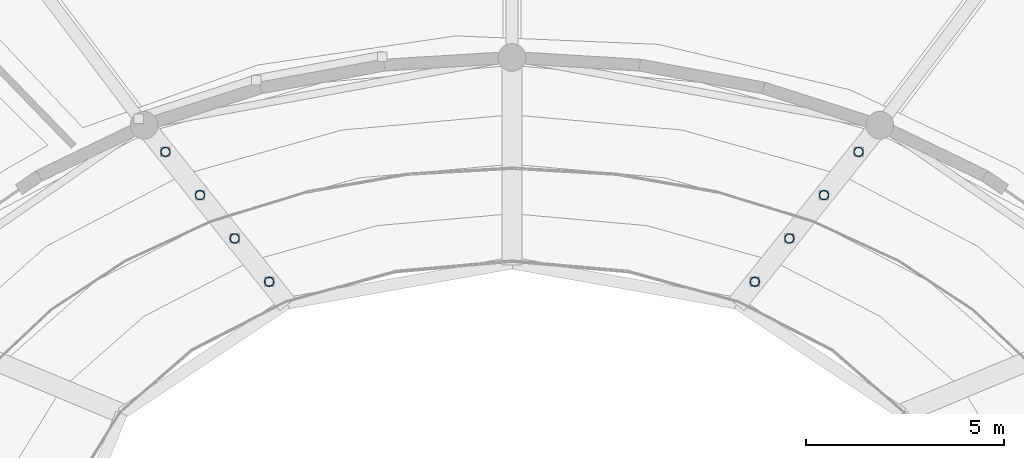
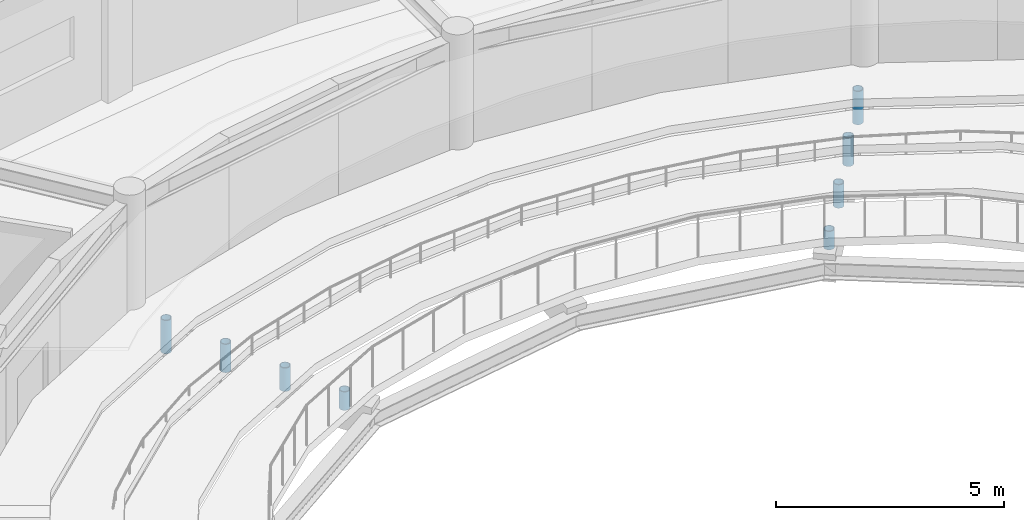
# One storey, part 41 of 63: 8 members.
"""IFC4 building model written with IfcOpenShell, lengths in metres."""

from ifc_helpers import new_model, si_unit, direction, frame, origin, origin_2d, place, context, subcontext, project, spatial, hollow_circle, extrude, material, material_profile, profile_set, type_object, element, save


model = new_model("IFC4")

# Units and contexts
model_context = context("Model", 3, precision=1e-05, world=origin(), true_north=direction((0.0, 1.0)))
body_context = subcontext(model_context, "Body", "Model", "MODEL_VIEW")
ifc_project = project(units=[si_unit("LENGTHUNIT", "METRE"), si_unit("AREAUNIT", "SQUARE_METRE"), si_unit("VOLUMEUNIT", "CUBIC_METRE"), si_unit("PLANEANGLEUNIT", "RADIAN"), si_unit("MASSUNIT", "GRAM", prefix="KILO")], contexts=[model_context])

# Site, building, storey
site_placement = place(None, origin())
site = spatial("IfcSite", under=ifc_project, at=site_placement, CompositionType="ELEMENT")
building_placement = place(site_placement, origin())
building = spatial("IfcBuilding", under=site, at=building_placement, Name="Tarnveldt Headland Concert Hall", CompositionType="ELEMENT")
storey_placement = place(building_placement, frame((0.0, 0.0, 14.39990234375)))
storey = spatial("IfcBuildingStorey", under=building, at=storey_placement, Name="L03", CompositionType="ELEMENT", Elevation=14.39990234375)

# Members
ifc_material = material(Name="Steel S355", Category="steel")
ifc_material_profile = material_profile(ifc_material, hollow_circle(Radius=0.122314453125, WallThickness=0.01611328125, at=origin_2d()), Name="CHS 244.5x16", Category="steel")
ifc_profile_set = profile_set([ifc_material_profile], Name="Steel S355")
member_type = type_object("IfcMemberType", Name="TR-CHORD244", PredefinedType="POST", material=ifc_profile_set)
for number, where, z_axis, x_axis, name in (
    (1, (89.637451171875, 61.629150390625, -0.431396484375), (0.0, 0.0, 1.0), (1.0, 0.0, 0.0), "Vineyard tier raker stool post L03-1-3"),
    (2, (77.362548828125, 61.629150390625, -0.431396484375), (0.0, 0.0, 1.0), (1.0, 0.0, 0.0), "Vineyard tier raker stool post L03-1-5"),
):
    element("IfcMember", number, at=place(storey_placement, frame(where, z_axis=z_axis, x_axis=x_axis)), inside=storey, type_object=member_type, Name=name, PredefinedType="POST", context=body_context, shape_type="SweptSolid", body=[
        extrude(hollow_circle(Radius=0.122314453125, WallThickness=0.01611328125, at=origin_2d()), origin(), (0.0, 0.0, 1.0), 0.49658203125),
    ])
for number, where, z_axis, x_axis, name in (
    (3, (90.512451171875, 62.7236328125, -0.284423828125), (0.0, 0.0, 1.0), (1.0, 0.0, 0.0), "Vineyard tier raker stool post L03-2-3"),
    (4, (76.487548828125, 62.7236328125, -0.284423828125), (0.0, 0.0, 1.0), (1.0, 0.0, 0.0), "Vineyard tier raker stool post L03-2-5"),
):
    element("IfcMember", number, at=place(storey_placement, frame(where, z_axis=z_axis, x_axis=x_axis)), inside=storey, type_object=member_type, Name=name, PredefinedType="POST", context=body_context, shape_type="SweptSolid", body=[
        extrude(hollow_circle(Radius=0.122314453125, WallThickness=0.01611328125, at=origin_2d()), origin(), (0.0, 0.0, 1.0), 0.629638671875),
    ])
for number, where, z_axis, x_axis, name in (
    (5, (91.387451171875, 63.818115234375, -0.13720703125), (0.0, 0.0, 1.0), (1.0, 0.0, 0.0), "Vineyard tier raker stool post L03-3-3"),
    (6, (75.612548828125, 63.818115234375, -0.13720703125), (0.0, 0.0, 1.0), (1.0, 0.0, 0.0), "Vineyard tier raker stool post L03-3-5"),
):
    element("IfcMember", number, at=place(storey_placement, frame(where, z_axis=z_axis, x_axis=x_axis)), inside=storey, type_object=member_type, Name=name, PredefinedType="POST", context=body_context, shape_type="SweptSolid", body=[
        extrude(hollow_circle(Radius=0.122314453125, WallThickness=0.01611328125, at=origin_2d()), origin(), (0.0, 0.0, 1.0), 0.76220703125),
    ])
for number, where, z_axis, x_axis, name in (
    (7, (92.262451171875, 64.91259765625, 0.009765625), (0.0, 0.0, 1.0), (1.0, 0.0, 0.0), "Vineyard tier raker stool post L03-4-3"),
    (8, (74.737548828125, 64.91259765625, 0.009765625), (0.0, 0.0, 1.0), (1.0, 0.0, 0.0), "Vineyard tier raker stool post L03-4-5"),
):
    element("IfcMember", number, at=place(storey_placement, frame(where, z_axis=z_axis, x_axis=x_axis)), inside=storey, type_object=member_type, Name=name, PredefinedType="POST", context=body_context, shape_type="SweptSolid", body=[
        extrude(hollow_circle(Radius=0.122314453125, WallThickness=0.01611328125, at=origin_2d()), origin(), (0.0, 0.0, 1.0), 0.895263671875),
    ])

save(model, "model.ifc")
